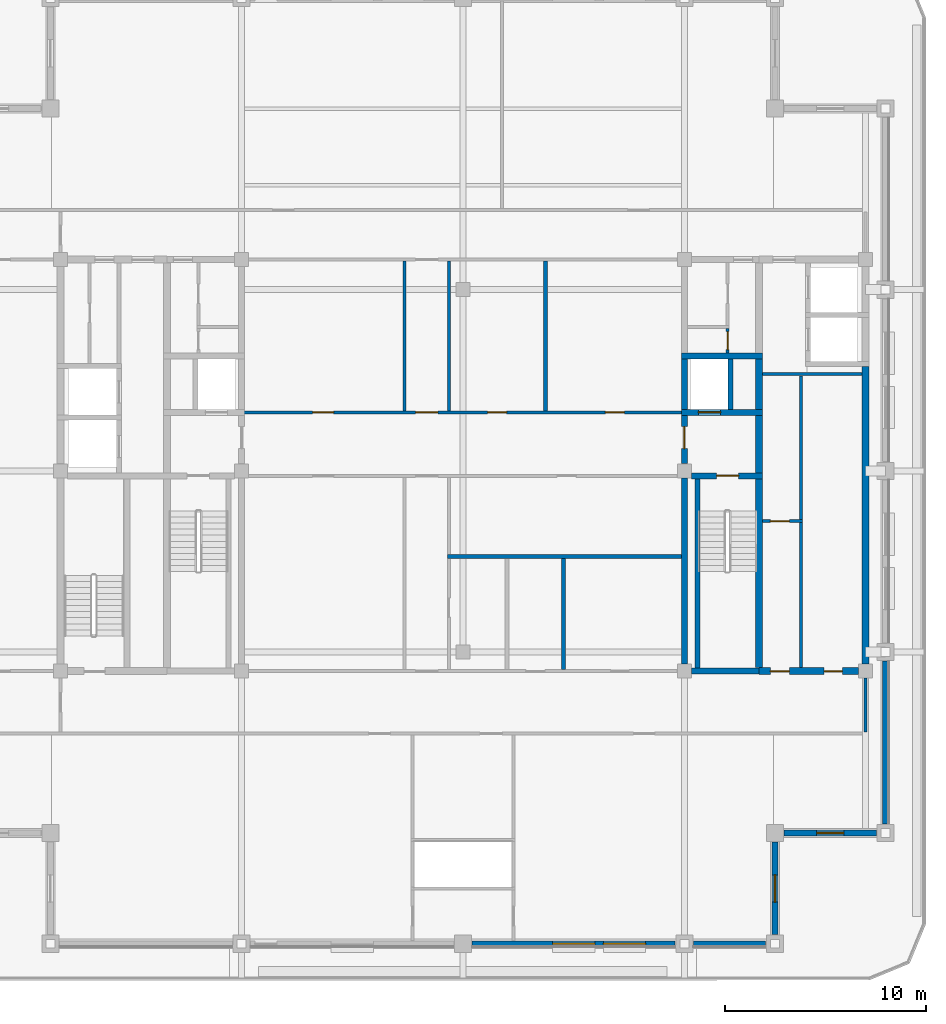
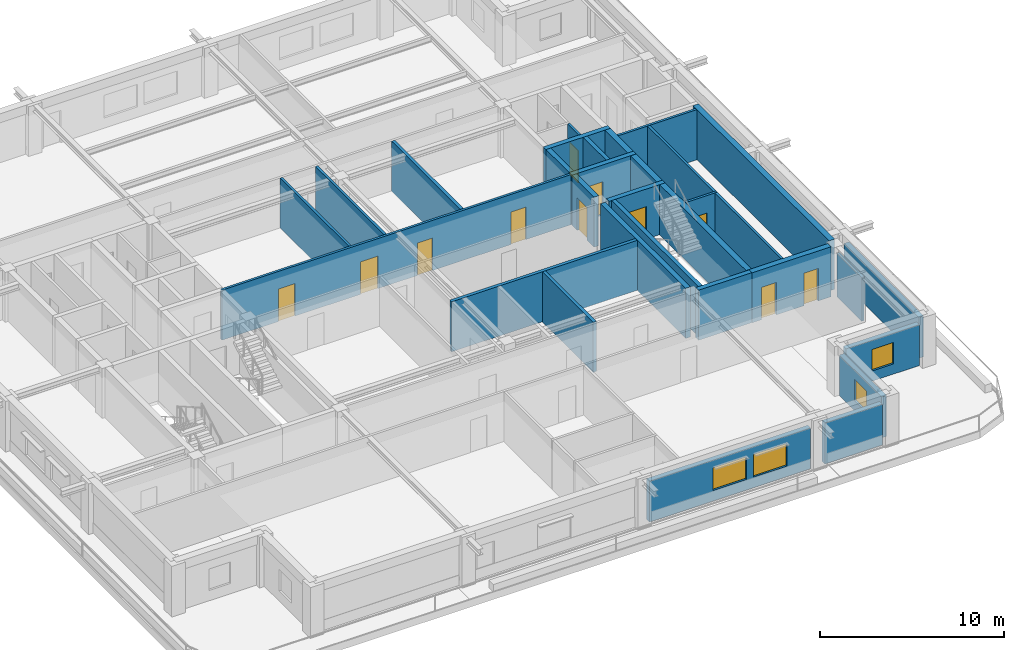
# One storey, part 4 of 11: 31 walls, 11 doors, 4 windows, 15 openings.
"""IFC4 building model written with IfcOpenShell, lengths in metres."""

from ifc_helpers import new_model, si_unit, direction, frame, frame_2d, origin, place, context, subcontext, project, spatial, rectangle, extrude, material, layer, layer_set, type_object, element, fill, save


model = new_model("IFC4")

# Units and contexts
model_context = context("Model", 3, precision=1e-05, world=origin(), true_north=direction((0.0, 1.0)))
body_context = subcontext(model_context, "Body", "Model", "MODEL_VIEW")
ifc_project = project(units=[si_unit("LENGTHUNIT", "METRE"), si_unit("AREAUNIT", "SQUARE_METRE"), si_unit("VOLUMEUNIT", "CUBIC_METRE"), si_unit("PLANEANGLEUNIT", "RADIAN"), si_unit("MASSUNIT", "GRAM", prefix="KILO")], contexts=[model_context])

# Site, building, storey
site_placement = place(None, origin())
site = spatial("IfcSite", under=ifc_project, at=site_placement, CompositionType="ELEMENT")
building_placement = place(site_placement, origin())
building = spatial("IfcBuilding", under=site, at=building_placement, Name="Zulmaris Gate Convention Tower", CompositionType="ELEMENT")
storey_placement = place(building_placement, frame((0.0, 0.0, 274.320068359375)))
storey = spatial("IfcBuildingStorey", under=building, at=storey_placement, Name="L73", CompositionType="ELEMENT", Elevation=274.320068359375)

# Walls
ifc_material_1 = material(Name="Concrete C50/60", Category="concrete")
ifc_layer_1 = layer(ifc_material_1, 0.25, Name="Concrete C50/60")
ifc_layer_set_1 = layer_set([ifc_layer_1], Name="Concrete C50/60")
wall_type_1 = type_object("IfcWallType", Name="CORE-250", PredefinedType="SOLIDWALL", material=ifc_layer_set_1)
wall_1_placement = place(storey_placement, frame((11.64990234375, -9.798095703125, 0.0), z_axis=(0.0, 0.0, 1.0), x_axis=(0.0, 1.0, 0.0)))
element("IfcWall", 1, at=wall_1_placement, inside=storey, type_object=wall_type_1, Name="WL-L73-055", PredefinedType="SOLIDWALL", context=body_context, shape_type="SweptSolid", body=[
    extrude(rectangle(XDim=9.39599609375, YDim=0.25, at=frame_2d((4.697998046875, 0.0))), origin(), (0.0, 0.0, 1.0), 3.31494140625),
])
wall_2_placement = place(storey_placement, frame((13.300048828125, 3.052001953125, 0.0), z_axis=(0.0, 0.0, 1.0), x_axis=(0.0, 1.0, 0.0)))
element("IfcWall", 2, at=wall_2_placement, inside=storey, type_object=wall_type_1, Name="WL-L73-056", PredefinedType="SOLIDWALL", context=body_context, shape_type="SweptSolid", body=[
    extrude(rectangle(XDim=2.49609375, YDim=0.25, at=frame_2d((1.248046875, 0.0))), origin(), (0.0, 0.0, 1.0), 3.31494140625),
])
ifc_layer_2 = layer(ifc_material_1, 0.300048828125, Name="Concrete C50/60")
ifc_layer_set_2 = layer_set([ifc_layer_2], Name="Concrete C50/60")
wall_type_2 = type_object("IfcWallType", Name="CORE-300", PredefinedType="SHEAR", material=ifc_layer_set_2)
wall_3_placement = place(storey_placement, frame((11.35400390625, -9.949951171875, 0.0), z_axis=(0.0, 0.0, 1.0), x_axis=(1.0, 0.0, 0.0)))
element("IfcWall", 3, at=wall_3_placement, inside=storey, type_object=wall_type_2, Name="WL-L73-003", PredefinedType="SHEAR", context=body_context, shape_type="SweptSolid", body=[
    extrude(rectangle(XDim=3.345947265625, YDim=0.300048828125, at=frame_2d((1.6728515625, 0.0))), origin(), (0.0, 0.0, 1.0), 3.31494140625),
])

# Wall, opening, door
wall_4_placement = place(storey_placement, frame((11.35400390625, -0.25, 0.0), z_axis=(0.0, 0.0, 1.0), x_axis=(1.0, 0.0, 0.0)))
wall_4 = element("IfcWall", 4, at=wall_4_placement, inside=storey, type_object=wall_type_2, Name="WL-L73-006", PredefinedType="SHEAR", context=body_context, shape_type="SweptSolid", body=[
    extrude(rectangle(XDim=3.52099609375, YDim=0.300048828125, at=frame_2d((1.760498046875, 0.0))), origin(), (0.0, 0.0, 1.0), 3.31494140625),
])
opening_1_placement = place(wall_4_placement, frame((1.24609375, 0.0, 0.0)))
opening_1 = element("IfcOpeningElement", 5, at=opening_1_placement, cuts=wall_4, Name="Opening D-08", PredefinedType="OPENING", context=body_context, shape_type="SweptSolid", body=[
    extrude(rectangle(XDim=1.10009765625, YDim=2.14990234375, at=frame_2d((0.550048828125, 1.074951171875))), frame((0.0, 0.16015625, 0.0), z_axis=(0.0, -1.0, 0.0), x_axis=(1.0, 0.0, 0.0)), (0.0, 0.0, 1.0), 0.320068359375),
])
ifc_material_2 = material(Name="Fire-Rated Steel", Category="steel")
door_type_1 = type_object("IfcDoorType", Name="DR-1100-FD", OperationType="NOTDEFINED", PredefinedType="DOOR", material=ifc_material_2)
door_1_placement = place(opening_1_placement, origin())
door_1 = element("IfcDoor", 6, at=door_1_placement, inside=storey, type_object=door_type_1, Name="L73 Exit Stair ST-2 Door 04", OperationType="SINGLE_SWING_RIGHT", OverallHeight=2.14990234375, OverallWidth=1.10009765625, PredefinedType="DOOR", context=body_context, shape_type="SweptSolid", body=[
    extrude(rectangle(XDim=1.10009765625, YDim=2.14990234375, at=frame_2d((0.550048828125, 1.074951171875))), frame((0.0, 0.02490234375, 0.0), z_axis=(0.0, -1.0, 0.0), x_axis=(1.0, 0.0, 0.0)), (0.0, 0.0, 1.0), 0.050048828125),
])
fill(opening_1, door_1)

wall_5_placement = place(storey_placement, frame((10.85009765625, 2.89990234375, 0.0), z_axis=(0.0, 0.0, 1.0), x_axis=(1.0, 0.0, 0.0)))
wall_5 = element("IfcWall", 7, at=wall_5_placement, inside=storey, type_object=wall_type_2, Name="WL-L73-009", PredefinedType="SHEAR", context=body_context, shape_type="SweptSolid", body=[
    extrude(rectangle(XDim=4.02490234375, YDim=0.300048828125, at=frame_2d((2.012451171875, 0.0))), origin(), (0.0, 0.0, 1.0), 3.31494140625),
])
opening_2_placement = place(wall_5_placement, frame((0.85009765625, 0.0, 0.0)))
opening_2 = element("IfcOpeningElement", 8, at=opening_2_placement, cuts=wall_5, Name="Opening D-06", PredefinedType="OPENING", context=body_context, shape_type="SweptSolid", body=[
    extrude(rectangle(XDim=1.10009765625, YDim=2.199951171875, at=frame_2d((0.550048828125, 1.10009765625))), frame((0.0, 0.16015625, 0.0), z_axis=(0.0, -1.0, 0.0), x_axis=(1.0, 0.0, 0.0)), (0.0, 0.0, 1.0), 0.320068359375),
])
ifc_material_3 = material(Name="Brushed Stainless Steel", Category="steel")
door_type_2 = type_object("IfcDoorType", Name="LD-1100", OperationType="NOTDEFINED", PredefinedType="DOOR", material=ifc_material_3)
door_2_placement = place(opening_2_placement, origin())
door_2 = element("IfcDoor", 9, at=door_2_placement, inside=storey, type_object=door_type_2, Name="L73 Lift Landing Door LF-02 06", OperationType="SLIDING_TO_RIGHT", OverallHeight=2.199951171875, OverallWidth=1.10009765625, PredefinedType="DOOR", context=body_context, shape_type="SweptSolid", body=[
    extrude(rectangle(XDim=1.10009765625, YDim=2.199951171875, at=frame_2d((0.550048828125, 1.10009765625))), frame((0.0, 0.02490234375, 0.0), z_axis=(0.0, -1.0, 0.0), x_axis=(1.0, 0.0, 0.0)), (0.0, 0.0, 1.0), 0.050048828125),
])
fill(opening_2, door_2)

# Walls
wall_6_placement = place(storey_placement, frame((10.85009765625, 5.699951171875, 0.0), z_axis=(0.0, 0.0, 1.0), x_axis=(1.0, 0.0, 0.0)))
element("IfcWall", 10, at=wall_6_placement, inside=storey, type_object=wall_type_2, Name="WL-L73-013", PredefinedType="SHEAR", context=body_context, shape_type="SweptSolid", body=[
    extrude(rectangle(XDim=4.02490234375, YDim=0.300048828125, at=frame_2d((2.012451171875, 0.0))), origin(), (0.0, 0.0, 1.0), 3.31494140625),
])
wall_7_placement = place(storey_placement, frame((11.0, -9.595947265625, 0.0), z_axis=(0.0, 0.0, 1.0), x_axis=(0.0, 1.0, 0.0)))
element("IfcWall", 11, at=wall_7_placement, inside=storey, type_object=wall_type_2, Name="WL-L73-051", PredefinedType="SHEAR", context=body_context, shape_type="SweptSolid", body=[
    extrude(rectangle(XDim=9.241943359375, YDim=0.300048828125, at=frame_2d((4.62109375, 0.0))), origin(), (0.0, 0.0, 1.0), 3.31494140625),
])

# Wall, opening, door
wall_8_placement = place(storey_placement, frame((11.0, 0.35400390625, 0.0), z_axis=(0.0, 0.0, 1.0), x_axis=(0.0, 1.0, 0.0)))
wall_8 = element("IfcWall", 12, at=wall_8_placement, inside=storey, type_object=wall_type_2, Name="WL-L73-052", PredefinedType="SHEAR", context=body_context, shape_type="SweptSolid", body=[
    extrude(rectangle(XDim=2.39404296875, YDim=0.300048828125, at=frame_2d((1.197021484375, 0.0))), origin(), (0.0, 0.0, 1.0), 3.31494140625),
])
opening_3_placement = place(wall_8_placement, frame((0.74609375, 0.0, 0.0)))
opening_3 = element("IfcOpeningElement", 13, at=opening_3_placement, cuts=wall_8, Name="Opening D-08", PredefinedType="OPENING", context=body_context, shape_type="SweptSolid", body=[
    extrude(rectangle(XDim=1.10009765625, YDim=2.14990234375, at=frame_2d((0.550048828125, 1.074951171875))), frame((0.0, 0.16015625, 0.0), z_axis=(0.0, -1.0, 0.0), x_axis=(1.0, 0.0, 0.0)), (0.0, 0.0, 1.0), 0.320068359375),
])
door_3_placement = place(opening_3_placement, origin())
door_3 = element("IfcDoor", 14, at=door_3_placement, inside=storey, type_object=door_type_1, Name="L73 East Firefighting Lobby Door 05", OperationType="SINGLE_SWING_LEFT", OverallHeight=2.14990234375, OverallWidth=1.10009765625, PredefinedType="DOOR", context=body_context, shape_type="SweptSolid", body=[
    extrude(rectangle(XDim=1.10009765625, YDim=2.14990234375, at=frame_2d((0.550048828125, 1.074951171875))), frame((0.0, 0.02490234375, 0.0), z_axis=(0.0, -1.0, 0.0), x_axis=(1.0, 0.0, 0.0)), (0.0, 0.0, 1.0), 0.050048828125),
])
fill(opening_3, door_3)

# Wall
wall_9_placement = place(storey_placement, frame((11.0, 3.052001953125, 0.0), z_axis=(0.0, 0.0, 1.0), x_axis=(0.0, 1.0, 0.0)))
element("IfcWall", 15, at=wall_9_placement, inside=storey, type_object=wall_type_2, Name="WL-L73-053", PredefinedType="SHEAR", context=body_context, shape_type="SweptSolid", body=[
    extrude(rectangle(XDim=2.49609375, YDim=0.300048828125, at=frame_2d((1.248046875, 0.0))), origin(), (0.0, 0.0, 1.0), 3.31494140625),
])

# Wall, openings, doors
ifc_material_4 = material(Name="Concrete C55/67", Category="concrete")
ifc_layer_3 = layer(ifc_material_4, 0.35009765625, Name="Concrete C55/67")
ifc_layer_set_3 = layer_set([ifc_layer_3], Name="Concrete C55/67")
wall_type_3 = type_object("IfcWallType", Name="CORE-350", PredefinedType="SHEAR", material=ifc_layer_set_3)
wall_10_placement = place(storey_placement, frame((14.699951171875, -9.949951171875, 0.0), z_axis=(0.0, 0.0, 1.0), x_axis=(1.0, 0.0, 0.0)))
wall_10 = element("IfcWall", 16, at=wall_10_placement, inside=storey, type_object=wall_type_3, Name="WL-L73-004", PredefinedType="SHEAR", context=body_context, shape_type="SweptSolid", body=[
    extrude(rectangle(XDim=4.946044921875, YDim=0.35009765625, at=frame_2d((2.47314453125, 0.0))), origin(), (0.0, 0.0, 1.0), 3.31494140625),
])
opening_4_placement = place(wall_10_placement, frame((3.25, 0.0, 0.0)))
opening_4 = element("IfcOpeningElement", 17, at=opening_4_placement, cuts=wall_10, Name="Opening D-12", PredefinedType="OPENING", context=body_context, shape_type="SweptSolid", body=[
    extrude(rectangle(XDim=0.89990234375, YDim=2.14990234375, at=frame_2d((0.449951171875, 1.074951171875))), frame((0.0, 0.18505859375, 0.0), z_axis=(0.0, -1.0, 0.0), x_axis=(1.0, 0.0, 0.0)), (0.0, 0.0, 1.0), 0.3701171875),
])
opening_5_placement = place(wall_10_placement, frame((0.574951171875, 0.0, 0.0)))
opening_5 = element("IfcOpeningElement", 18, at=opening_5_placement, cuts=wall_10, Name="Opening D-11", PredefinedType="OPENING", context=body_context, shape_type="SweptSolid", body=[
    extrude(rectangle(XDim=0.949951171875, YDim=2.14990234375, at=frame_2d((0.47509765625, 1.074951171875))), frame((0.0, 0.18505859375, 0.0), z_axis=(0.0, -1.0, 0.0), x_axis=(1.0, 0.0, 0.0)), (0.0, 0.0, 1.0), 0.3701171875),
])
ifc_material_5 = material(Name="Fire-Rated Timber", Category="wood")
door_type_3 = type_object("IfcDoorType", Name="DR-900-FD", OperationType="NOTDEFINED", PredefinedType="DOOR", material=ifc_material_5)
door_4_placement = place(opening_4_placement, origin())
door_4 = element("IfcDoor", 19, at=door_4_placement, inside=storey, type_object=door_type_3, Name="L73 Core IT Room Door 22", OperationType="SINGLE_SWING_LEFT", OverallHeight=2.14990234375, OverallWidth=0.89990234375, PredefinedType="DOOR", context=body_context, shape_type="SweptSolid", body=[
    extrude(rectangle(XDim=0.89990234375, YDim=2.14990234375, at=frame_2d((0.449951171875, 1.074951171875))), frame((0.0, 0.02490234375, 0.0), z_axis=(0.0, -1.0, 0.0), x_axis=(1.0, 0.0, 0.0)), (0.0, 0.0, 1.0), 0.050048828125),
])
fill(opening_4, door_4)
door_type_4 = type_object("IfcDoorType", Name="DR-950-FD", OperationType="NOTDEFINED", PredefinedType="DOOR", material=ifc_material_5)
door_5_placement = place(opening_5_placement, origin())
door_5 = element("IfcDoor", 20, at=door_5_placement, inside=storey, type_object=door_type_4, Name="L73 Guest Pantry Door 23", OperationType="SINGLE_SWING_RIGHT", OverallHeight=2.14990234375, OverallWidth=0.949951171875, PredefinedType="DOOR", context=body_context, shape_type="SweptSolid", body=[
    extrude(rectangle(XDim=0.949951171875, YDim=2.14990234375, at=frame_2d((0.47509765625, 1.074951171875))), frame((0.0, 0.02490234375, 0.0), z_axis=(0.0, -1.0, 0.0), x_axis=(1.0, 0.0, 0.0)), (0.0, 0.0, 1.0), 0.050048828125),
])
fill(opening_5, door_5)

# Walls
wall_11_placement = place(storey_placement, frame((14.699951171875, -9.77294921875, 0.0), z_axis=(0.0, 0.0, 1.0), x_axis=(0.0, 1.0, 0.0)))
element("IfcWall", 21, at=wall_11_placement, inside=storey, type_object=wall_type_3, Name="WL-L73-057", PredefinedType="SHEAR", context=body_context, shape_type="SweptSolid", body=[
    extrude(rectangle(XDim=9.370849609375, YDim=0.35009765625, at=frame_2d((4.685546875, 0.0))), origin(), (0.0, 0.0, 1.0), 3.31494140625),
])
wall_12_placement = place(storey_placement, frame((14.699951171875, -0.097900390625, 0.0), z_axis=(0.0, 0.0, 1.0), x_axis=(0.0, 1.0, 0.0)))
element("IfcWall", 22, at=wall_12_placement, inside=storey, type_object=wall_type_3, Name="WL-L73-058", PredefinedType="SHEAR", context=body_context, shape_type="SweptSolid", body=[
    extrude(rectangle(XDim=2.845947265625, YDim=0.35009765625, at=frame_2d((1.4228515625, 0.0))), origin(), (0.0, 0.0, 1.0), 3.31494140625),
])
wall_13_placement = place(storey_placement, frame((14.699951171875, 3.052001953125, 0.0), z_axis=(0.0, 0.0, 1.0), x_axis=(0.0, 1.0, 0.0)))
element("IfcWall", 23, at=wall_13_placement, inside=storey, type_object=wall_type_3, Name="WL-L73-059", PredefinedType="SHEAR", context=body_context, shape_type="SweptSolid", body=[
    extrude(rectangle(XDim=2.49609375, YDim=0.35009765625, at=frame_2d((1.248046875, 0.0))), origin(), (0.0, 0.0, 1.0), 3.31494140625),
])
wall_14_placement = place(storey_placement, frame((20.0, -9.595947265625, 0.0), z_axis=(0.0, 0.0, 1.0), x_axis=(0.0, 1.0, 0.0)))
element("IfcWall", 24, at=wall_14_placement, inside=storey, type_object=wall_type_3, Name="WL-L73-063", PredefinedType="SHEAR", context=body_context, shape_type="SweptSolid", body=[
    extrude(rectangle(XDim=14.76904296875, YDim=0.35009765625, at=frame_2d((7.384521484375, 0.0))), origin(), (0.0, 0.0, 1.0), 3.31494140625),
])

# Wall, opening, door
ifc_material_6 = material(Name="Gypsum Metal Stud Partition")
ifc_layer_4 = layer(ifc_material_6, 0.14990234375, Name="Gypsum Metal Stud Partition")
ifc_layer_set_4 = layer_set([ifc_layer_4], Name="Gypsum Metal Stud Partition")
wall_type_4 = type_object("IfcWallType", Name="PART-150", PredefinedType="PARTITIONING", material=ifc_layer_set_4)
wall_15_placement = place(storey_placement, frame((14.8779296875, -2.5, 0.0), z_axis=(0.0, 0.0, 1.0), x_axis=(1.0, 0.0, 0.0)))
wall_15 = element("IfcWall", 25, at=wall_15_placement, inside=storey, type_object=wall_type_4, Name="WL-L73-025", PredefinedType="PARTITIONING", context=body_context, shape_type="SweptSolid", body=[
    extrude(rectangle(XDim=1.9970703125, YDim=0.14990234375, at=frame_2d((0.99853515625, 0.0))), origin(), (0.0, 0.0, 1.0), 3.31494140625),
])
opening_6_placement = place(wall_15_placement, frame((0.39697265625, 0.0, 0.0)))
opening_6 = element("IfcOpeningElement", 26, at=opening_6_placement, cuts=wall_15, Name="Opening D-11", PredefinedType="OPENING", context=body_context, shape_type="SweptSolid", body=[
    extrude(rectangle(XDim=0.949951171875, YDim=2.14990234375, at=frame_2d((0.47509765625, 1.074951171875))), frame((0.0, 0.0849609375, 0.0), z_axis=(0.0, -1.0, 0.0), x_axis=(1.0, 0.0, 0.0)), (0.0, 0.0, 1.0), 0.169921875),
])
door_6_placement = place(opening_6_placement, origin())
door_6 = element("IfcDoor", 27, at=door_6_placement, inside=storey, type_object=door_type_4, Name="L73 Supply Closet Door 24", OperationType="SINGLE_SWING_LEFT", OverallHeight=2.14990234375, OverallWidth=0.949951171875, PredefinedType="DOOR", context=body_context, shape_type="SweptSolid", body=[
    extrude(rectangle(XDim=0.949951171875, YDim=2.14990234375, at=frame_2d((0.47509765625, 1.074951171875))), frame((0.0, 0.02490234375, 0.0), z_axis=(0.0, -1.0, 0.0), x_axis=(1.0, 0.0, 0.0)), (0.0, 0.0, 1.0), 0.050048828125),
])
fill(opening_6, door_6)

# Wall, openings, doors
wall_16_placement = place(storey_placement, frame((-11.0, 2.89990234375, 0.0), z_axis=(0.0, 0.0, 1.0), x_axis=(1.0, 0.0, 0.0)))
wall_16 = element("IfcWall", 28, at=wall_16_placement, inside=storey, type_object=wall_type_4, Name="WL-L73-027", PredefinedType="PARTITIONING", context=body_context, shape_type="SweptSolid", body=[
    extrude(rectangle(XDim=22.0, YDim=0.14990234375, at=frame_2d((11.0, 0.0))), origin(), (0.0, 0.0, 1.0), 3.31494140625),
])
opening_7_placement = place(wall_16_placement, frame((8.64990234375, 0.0, 0.0)))
opening_7 = element("IfcOpeningElement", 29, at=opening_7_placement, cuts=wall_16, Name="Opening D-08", PredefinedType="OPENING", context=body_context, shape_type="SweptSolid", body=[
    extrude(rectangle(XDim=1.10009765625, YDim=2.14990234375, at=frame_2d((0.550048828125, 1.074951171875))), frame((0.0, 0.0849609375, 0.0), z_axis=(0.0, -1.0, 0.0), x_axis=(1.0, 0.0, 0.0)), (0.0, 0.0, 1.0), 0.169921875),
])
opening_8_placement = place(wall_16_placement, frame((3.52490234375, 0.0, 0.0)))
opening_8 = element("IfcOpeningElement", 30, at=opening_8_placement, cuts=wall_16, Name="Opening D-09", PredefinedType="OPENING", context=body_context, shape_type="SweptSolid", body=[
    extrude(rectangle(XDim=1.050048828125, YDim=2.14990234375, at=frame_2d((0.52490234375, 1.074951171875))), frame((0.0, 0.0849609375, 0.0), z_axis=(0.0, -1.0, 0.0), x_axis=(1.0, 0.0, 0.0)), (0.0, 0.0, 1.0), 0.169921875),
])
opening_9_placement = place(wall_16_placement, frame((12.22509765625, 0.0, 0.0)))
opening_9 = element("IfcOpeningElement", 31, at=opening_9_placement, cuts=wall_16, Name="Opening D-11", PredefinedType="OPENING", context=body_context, shape_type="SweptSolid", body=[
    extrude(rectangle(XDim=0.949951171875, YDim=2.14990234375, at=frame_2d((0.47509765625, 1.074951171875))), frame((0.0, 0.0849609375, 0.0), z_axis=(0.0, -1.0, 0.0), x_axis=(1.0, 0.0, 0.0)), (0.0, 0.0, 1.0), 0.169921875),
])
opening_10_placement = place(wall_16_placement, frame((18.074951171875, 0.0, 0.0)))
opening_10 = element("IfcOpeningElement", 32, at=opening_10_placement, cuts=wall_16, Name="Opening D-11", PredefinedType="OPENING", context=body_context, shape_type="SweptSolid", body=[
    extrude(rectangle(XDim=0.949951171875, YDim=2.14990234375, at=frame_2d((0.47509765625, 1.074951171875))), frame((0.0, 0.0849609375, 0.0), z_axis=(0.0, -1.0, 0.0), x_axis=(1.0, 0.0, 0.0)), (0.0, 0.0, 1.0), 0.169921875),
])
door_type_5 = type_object("IfcDoorType", Name="DR-1050-FD", OperationType="NOTDEFINED", PredefinedType="DOOR", material=ifc_material_2)
door_7_placement = place(opening_8_placement, origin())
door_7 = element("IfcDoor", 33, at=door_7_placement, inside=storey, type_object=door_type_5, Name="L73 Reception Door 36", OperationType="SINGLE_SWING_LEFT", OverallHeight=2.14990234375, OverallWidth=1.050048828125, PredefinedType="DOOR", context=body_context, shape_type="SweptSolid", body=[
    extrude(rectangle(XDim=1.050048828125, YDim=2.14990234375, at=frame_2d((0.52490234375, 1.074951171875))), frame((0.0, 0.02490234375, 0.0), z_axis=(0.0, -1.0, 0.0), x_axis=(1.0, 0.0, 0.0)), (0.0, 0.0, 1.0), 0.050048828125),
])
fill(opening_8, door_7)
door_8_placement = place(opening_7_placement, origin())
door_8 = element("IfcDoor", 34, at=door_8_placement, inside=storey, type_object=door_type_1, Name="L73 Exec Cross North Door 27", OperationType="SINGLE_SWING_RIGHT", OverallHeight=2.14990234375, OverallWidth=1.10009765625, PredefinedType="DOOR", context=body_context, shape_type="SweptSolid", body=[
    extrude(rectangle(XDim=1.10009765625, YDim=2.14990234375, at=frame_2d((0.550048828125, 1.074951171875))), frame((0.0, 0.02490234375, 0.0), z_axis=(0.0, -1.0, 0.0), x_axis=(1.0, 0.0, 0.0)), (0.0, 0.0, 1.0), 0.050048828125),
])
fill(opening_7, door_8)
door_9_placement = place(opening_9_placement, origin())
door_9 = element("IfcDoor", 35, at=door_9_placement, inside=storey, type_object=door_type_4, Name="L73 Briefing Door 37", OperationType="SINGLE_SWING_RIGHT", OverallHeight=2.14990234375, OverallWidth=0.949951171875, PredefinedType="DOOR", context=body_context, shape_type="SweptSolid", body=[
    extrude(rectangle(XDim=0.949951171875, YDim=2.14990234375, at=frame_2d((0.47509765625, 1.074951171875))), frame((0.0, 0.02490234375, 0.0), z_axis=(0.0, -1.0, 0.0), x_axis=(1.0, 0.0, 0.0)), (0.0, 0.0, 1.0), 0.050048828125),
])
fill(opening_9, door_9)
door_10_placement = place(opening_10_placement, origin())
door_10 = element("IfcDoor", 36, at=door_10_placement, inside=storey, type_object=door_type_4, Name="L73 Dining Pantry Door 38", OperationType="SINGLE_SWING_LEFT", OverallHeight=2.14990234375, OverallWidth=0.949951171875, PredefinedType="DOOR", context=body_context, shape_type="SweptSolid", body=[
    extrude(rectangle(XDim=0.949951171875, YDim=2.14990234375, at=frame_2d((0.47509765625, 1.074951171875))), frame((0.0, 0.02490234375, 0.0), z_axis=(0.0, -1.0, 0.0), x_axis=(1.0, 0.0, 0.0)), (0.0, 0.0, 1.0), 0.050048828125),
])
fill(opening_10, door_10)

# Walls
wall_17_placement = place(storey_placement, frame((14.8779296875, 4.800048828125, 0.0), z_axis=(0.0, 0.0, 1.0), x_axis=(1.0, 0.0, 0.0)))
element("IfcWall", 37, at=wall_17_placement, inside=storey, type_object=wall_type_4, Name="WL-L73-028", PredefinedType="PARTITIONING", context=body_context, shape_type="SweptSolid", body=[
    extrude(rectangle(XDim=4.944091796875, YDim=0.14990234375, at=frame_2d((2.47216796875, 0.0))), origin(), (0.0, 0.0, 1.0), 3.31494140625),
])
for number, where, z_axis, x_axis, name in (
    (38, (-2.89990234375, 2.97802734375, 0.0), (0.0, 0.0, 1.0), (0.0, 1.0, 0.0), "WL-L73-073"),
    (39, (-0.699951171875, 2.97802734375, 0.0), (0.0, 0.0, 1.0), (0.0, 1.0, 0.0), "WL-L73-079"),
):
    element("IfcWall", number, at=place(storey_placement, frame(where, z_axis=z_axis, x_axis=x_axis)), inside=storey, type_object=wall_type_4, Name=name, PredefinedType="PARTITIONING", context=body_context, shape_type="SweptSolid", body=[
        extrude(rectangle(XDim=7.444091796875, YDim=0.14990234375, at=frame_2d((3.72216796875, 0.0))), origin(), (0.0, 0.0, 1.0), 3.31494140625),
    ])

# Wall, opening, door
wall_18_placement = place(storey_placement, frame((13.14990234375, 5.85302734375, 0.0), z_axis=(0.0, 0.0, 1.0), x_axis=(0.0, 1.0, 0.0)))
wall_18 = element("IfcWall", 40, at=wall_18_placement, inside=storey, type_object=wall_type_4, Name="WL-L73-087", PredefinedType="PARTITIONING", context=body_context, shape_type="SweptSolid", body=[
    extrude(rectangle(XDim=1.218994140625, YDim=0.14990234375, at=frame_2d((0.609375, 0.0))), origin(), (0.0, 0.0, 1.0), 3.31494140625),
])
opening_11_placement = place(wall_18_placement, frame((0.1689453125, 0.0, 0.0)))
opening_11 = element("IfcOpeningElement", 41, at=opening_11_placement, cuts=wall_18, Name="Opening D-12", PredefinedType="OPENING", context=body_context, shape_type="SweptSolid", body=[
    extrude(rectangle(XDim=0.89990234375, YDim=2.14990234375, at=frame_2d((0.449951171875, 1.074951171875))), frame((0.0, 0.0849609375, 0.0), z_axis=(0.0, -1.0, 0.0), x_axis=(1.0, 0.0, 0.0)), (0.0, 0.0, 1.0), 0.169921875),
])
door_11_placement = place(opening_11_placement, origin())
door_11 = element("IfcDoor", 42, at=door_11_placement, inside=storey, type_object=door_type_3, Name="L73 Core Staff WC Door 11", OperationType="SINGLE_SWING_RIGHT", OverallHeight=2.14990234375, OverallWidth=0.89990234375, PredefinedType="DOOR", context=body_context, shape_type="SweptSolid", body=[
    extrude(rectangle(XDim=0.89990234375, YDim=2.14990234375, at=frame_2d((0.449951171875, 1.074951171875))), frame((0.0, 0.02490234375, 0.0), z_axis=(0.0, -1.0, 0.0), x_axis=(1.0, 0.0, 0.0)), (0.0, 0.0, 1.0), 0.050048828125),
])
fill(opening_11, door_11)

# Walls
wall_19_placement = place(storey_placement, frame((16.800048828125, -9.77197265625, 0.0), z_axis=(0.0, 0.0, 1.0), x_axis=(0.0, 1.0, 0.0)))
element("IfcWall", 43, at=wall_19_placement, inside=storey, type_object=wall_type_4, Name="WL-L73-089", PredefinedType="PARTITIONING", context=body_context, shape_type="SweptSolid", body=[
    extrude(rectangle(XDim=7.194091796875, YDim=0.14990234375, at=frame_2d((3.59716796875, 0.0))), origin(), (0.0, 0.0, 1.0), 3.31494140625),
])
wall_20_placement = place(storey_placement, frame((16.800048828125, -2.422119140625, 0.0), z_axis=(0.0, 0.0, 1.0), x_axis=(0.0, 1.0, 0.0)))
element("IfcWall", 44, at=wall_20_placement, inside=storey, type_object=wall_type_4, Name="WL-L73-090", PredefinedType="PARTITIONING", context=body_context, shape_type="SweptSolid", body=[
    extrude(rectangle(XDim=7.14404296875, YDim=0.14990234375, at=frame_2d((3.572021484375, 0.0))), origin(), (0.0, 0.0, 1.0), 3.31494140625),
])
wall_21_placement = place(storey_placement, frame((20.0, -12.971923828125, 0.0), z_axis=(0.0, 0.0, 1.0), x_axis=(0.0, 1.0, 0.0)))
element("IfcWall", 45, at=wall_21_placement, inside=storey, type_object=wall_type_4, Name="WL-L73-091", PredefinedType="PARTITIONING", context=body_context, shape_type="SweptSolid", body=[
    extrude(rectangle(XDim=2.666015625, YDim=0.14990234375, at=frame_2d((1.3330078125, 0.0))), origin(), (0.0, 0.0, 1.0), 2.905029296875),
])
ifc_material_7 = material(Name="Autoclaved Aerated Concrete Block and Plasterboard", Category="concrete")
ifc_layer_5 = layer(ifc_material_7, 0.199951171875, Name="Autoclaved Aerated Concrete Block and Plasterboard")
ifc_layer_set_5 = layer_set([ifc_layer_5], Name="Autoclaved Aerated Concrete Block and Plasterboard")
wall_type_5 = type_object("IfcWallType", Name="PART-200", PredefinedType="PARTITIONING", material=ifc_layer_set_5)
wall_22_placement = place(storey_placement, frame((-0.77490234375, -4.25, 0.0), z_axis=(0.0, 0.0, 1.0), x_axis=(1.0, 0.0, 0.0)))
element("IfcWall", 46, at=wall_22_placement, inside=storey, type_object=wall_type_5, Name="WL-L73-024", PredefinedType="PARTITIONING", context=body_context, shape_type="SweptSolid", body=[
    extrude(rectangle(XDim=11.621826171875, YDim=0.199951171875, at=frame_2d((5.81103515625, 0.0))), origin(), (0.0, 0.0, 1.0), 3.31494140625),
])
wall_23_placement = place(storey_placement, frame((4.10009765625, 2.97802734375, 0.0), z_axis=(0.0, 0.0, 1.0), x_axis=(0.0, 1.0, 0.0)))
element("IfcWall", 47, at=wall_23_placement, inside=storey, type_object=wall_type_5, Name="WL-L73-085", PredefinedType="PARTITIONING", context=body_context, shape_type="SweptSolid", body=[
    extrude(rectangle(XDim=7.444091796875, YDim=0.199951171875, at=frame_2d((3.72216796875, 0.0))), origin(), (0.0, 0.0, 1.0), 3.31494140625),
])
wall_24_placement = place(storey_placement, frame((5.0, -9.8720703125, 0.0), z_axis=(0.0, 0.0, 1.0), x_axis=(0.0, 1.0, 0.0)))
element("IfcWall", 48, at=wall_24_placement, inside=storey, type_object=wall_type_5, Name="WL-L73-086", PredefinedType="PARTITIONING", context=body_context, shape_type="SweptSolid", body=[
    extrude(rectangle(XDim=5.51904296875, YDim=0.199951171875, at=frame_2d((2.759521484375, 0.0))), origin(), (0.0, 0.0, 1.0), 3.31494140625),
])

# Wall, opening, window
ifc_material_8 = material(Name="Precast concrete C40/50", Category="concrete")
ifc_layer_6 = layer(ifc_material_8, 0.300048828125, Name="Precast concrete C40/50")
ifc_layer_set_6 = layer_set([ifc_layer_6], Name="Precast concrete C40/50")
wall_type_6 = type_object("IfcWallType", Name="PRECAST-PIER-300", PredefinedType="STANDARD", material=ifc_layer_set_6)
wall_25_placement = place(storey_placement, frame((15.5, -23.044921875, 0.0), z_axis=(0.0, 0.0, 1.0), x_axis=(0.0, 1.0, 0.0)))
wall_25 = element("IfcWall", 49, at=wall_25_placement, inside=storey, type_object=wall_type_6, Name="EW-L73-NOTCH-SE1_0", PredefinedType="STANDARD", context=body_context, shape_type="SweptSolid", body=[
    extrude(rectangle(XDim=4.58984375, YDim=0.300048828125, at=frame_2d((2.294921875, 0.0))), origin(), (0.0, 0.0, 1.0), 2.70703125),
])
opening_12_placement = place(wall_25_placement, frame((1.6201171875, 0.0, 0.679931640625)))
opening_12 = element("IfcOpeningElement", 50, at=opening_12_placement, cuts=wall_25, Name="Opening W-10", PredefinedType="OPENING", context=body_context, shape_type="SweptSolid", body=[
    extrude(rectangle(XDim=1.35009765625, YDim=1.419921875, at=frame_2d((0.675048828125, 0.7099609375))), frame((0.0, 0.16015625, 0.0), z_axis=(0.0, -1.0, 0.0), x_axis=(1.0, 0.0, 0.0)), (0.0, 0.0, 1.0), 0.320068359375),
])
ifc_material_9 = material(Name="Low-E Laminated Double Glazing in Aluminium Frame", Category="aluminium")
window_type_1 = type_object("IfcWindowType", Name="WIN-1350x2000", PartitioningType="SINGLE_PANEL", PredefinedType="WINDOW", material=ifc_material_9)
window_1_placement = place(opening_12_placement, origin())
window_1 = element("IfcWindow", 51, at=window_1_placement, inside=storey, type_object=window_type_1, Name="WN-EW-L73-NOTCH-SE1_0", OverallHeight=1.419921875, OverallWidth=1.35009765625, PartitioningType="SINGLE_PANEL", PredefinedType="WINDOW", context=body_context, shape_type="SweptSolid", body=[
    extrude(rectangle(XDim=1.35009765625, YDim=1.419921875, at=frame_2d((0.675048828125, 0.7099609375))), frame((0.0, 0.030029296875, 0.0), z_axis=(0.0, -1.0, 0.0), x_axis=(1.0, 0.0, 0.0)), (0.0, 0.0, 1.0), 0.06005859375),
])
fill(opening_12, window_1)

wall_26_placement = place(storey_placement, frame((15.955078125, -18.0, 0.0), z_axis=(0.0, 0.0, 1.0), x_axis=(1.0, 0.0, 0.0)))
wall_26 = element("IfcWall", 52, at=wall_26_placement, inside=storey, type_object=wall_type_6, Name="EW-L73-NOTCH-SE2_0", PredefinedType="STANDARD", context=body_context, shape_type="SweptSolid", body=[
    extrude(rectangle(XDim=4.58984375, YDim=0.300048828125, at=frame_2d((2.294921875, 0.0))), origin(), (0.0, 0.0, 1.0), 2.70703125),
])
opening_13_placement = place(wall_26_placement, frame((1.6201171875, 0.0, 0.679931640625)))
opening_13 = element("IfcOpeningElement", 53, at=opening_13_placement, cuts=wall_26, Name="Opening W-10", PredefinedType="OPENING", context=body_context, shape_type="SweptSolid", body=[
    extrude(rectangle(XDim=1.35009765625, YDim=1.419921875, at=frame_2d((0.675048828125, 0.7099609375))), frame((0.0, 0.16015625, 0.0), z_axis=(0.0, -1.0, 0.0), x_axis=(1.0, 0.0, 0.0)), (0.0, 0.0, 1.0), 0.320068359375),
])
window_2_placement = place(opening_13_placement, origin())
window_2 = element("IfcWindow", 54, at=window_2_placement, inside=storey, type_object=window_type_1, Name="WN-EW-L73-NOTCH-SE2_0", OverallHeight=1.419921875, OverallWidth=1.35009765625, PartitioningType="SINGLE_PANEL", PredefinedType="WINDOW", context=body_context, shape_type="SweptSolid", body=[
    extrude(rectangle(XDim=1.35009765625, YDim=1.419921875, at=frame_2d((0.675048828125, 0.7099609375))), frame((0.0, 0.030029296875, 0.0), z_axis=(0.0, -1.0, 0.0), x_axis=(1.0, 0.0, 0.0)), (0.0, 0.0, 1.0), 0.06005859375),
])
fill(opening_13, window_2)

# Wall, openings, windows
wall_27_placement = place(storey_placement, frame((0.455078125, -23.5, 0.0), z_axis=(0.0, 0.0, 1.0), x_axis=(1.0, 0.0, 0.0)))
wall_27 = element("IfcWall", 55, at=wall_27_placement, inside=storey, type_object=wall_type_6, Name="EW-L73-S-2_0", PredefinedType="STANDARD", context=body_context, shape_type="SweptSolid", body=[
    extrude(rectangle(XDim=10.08984375, YDim=0.300048828125, at=frame_2d((5.044921875, 0.0))), origin(), (0.0, 0.0, 1.0), 2.70703125),
])
opening_14_placement = place(wall_27_placement, frame((3.9951171875, 0.0, 0.699951171875)))
opening_14 = element("IfcOpeningElement", 56, at=opening_14_placement, cuts=wall_27, Name="Opening W-05", PredefinedType="OPENING", context=body_context, shape_type="SweptSolid", body=[
    extrude(rectangle(XDim=2.10009765625, YDim=1.5, at=frame_2d((1.050048828125, 0.75))), frame((0.0, 0.16015625, 0.0), z_axis=(0.0, -1.0, 0.0), x_axis=(1.0, 0.0, 0.0)), (0.0, 0.0, 1.0), 0.320068359375),
])
opening_15_placement = place(wall_27_placement, frame((6.51806640625, 0.0, 0.699951171875)))
opening_15 = element("IfcOpeningElement", 57, at=opening_15_placement, cuts=wall_27, Name="Opening W-05", PredefinedType="OPENING", context=body_context, shape_type="SweptSolid", body=[
    extrude(rectangle(XDim=2.10009765625, YDim=1.5, at=frame_2d((1.050048828125, 0.75))), frame((0.0, 0.16015625, 0.0), z_axis=(0.0, -1.0, 0.0), x_axis=(1.0, 0.0, 0.0)), (0.0, 0.0, 1.0), 0.320068359375),
])
window_type_2 = type_object("IfcWindowType", Name="WIN-2100x2400", PartitioningType="SINGLE_PANEL", PredefinedType="WINDOW", material=ifc_material_9)
window_3_placement = place(opening_14_placement, origin())
window_3 = element("IfcWindow", 58, at=window_3_placement, inside=storey, type_object=window_type_2, Name="WN-EW-L73-S-2_0-2", OverallHeight=1.5, OverallWidth=2.10009765625, PartitioningType="SINGLE_PANEL", PredefinedType="WINDOW", context=body_context, shape_type="SweptSolid", body=[
    extrude(rectangle(XDim=2.10009765625, YDim=1.5, at=frame_2d((1.050048828125, 0.75))), frame((0.0, 0.030029296875, 0.0), z_axis=(0.0, -1.0, 0.0), x_axis=(1.0, 0.0, 0.0)), (0.0, 0.0, 1.0), 0.06005859375),
])
fill(opening_14, window_3)
window_4_placement = place(opening_15_placement, origin())
window_4 = element("IfcWindow", 59, at=window_4_placement, inside=storey, type_object=window_type_2, Name="WN-EW-L73-S-2_0-3", OverallHeight=1.5, OverallWidth=2.10009765625, PartitioningType="SINGLE_PANEL", PredefinedType="WINDOW", context=body_context, shape_type="SweptSolid", body=[
    extrude(rectangle(XDim=2.10009765625, YDim=1.5, at=frame_2d((1.050048828125, 0.75))), frame((0.0, 0.030029296875, 0.0), z_axis=(0.0, -1.0, 0.0), x_axis=(1.0, 0.0, 0.0)), (0.0, 0.0, 1.0), 0.06005859375),
])
fill(opening_15, window_4)

# Walls
wall_28_placement = place(storey_placement, frame((11.455078125, -23.5, 0.0), z_axis=(0.0, 0.0, 1.0), x_axis=(1.0, 0.0, 0.0)))
element("IfcWall", 60, at=wall_28_placement, inside=storey, type_object=wall_type_6, Name="EW-L73-S-3_0", PredefinedType="STANDARD", context=body_context, shape_type="SweptSolid", body=[
    extrude(rectangle(XDim=3.58984375, YDim=0.300048828125, at=frame_2d((1.794921875, 0.0))), origin(), (0.0, 0.0, 1.0), 2.70703125),
])
wall_29_placement = place(storey_placement, frame((21.0, -17.544921875, 0.0), z_axis=(0.0, 0.0, 1.0), x_axis=(0.0, 1.0, 0.0)))
element("IfcWall", 61, at=wall_29_placement, inside=storey, type_object=wall_type_6, Name="EW-L73-E-0_0", PredefinedType="STANDARD", context=body_context, shape_type="SweptSolid", body=[
    extrude(rectangle(XDim=8.08984375, YDim=0.300048828125, at=frame_2d((4.044921875, 0.0))), origin(), (0.0, 0.0, 1.0), 2.70703125),
])

save(model, "model.ifc")
